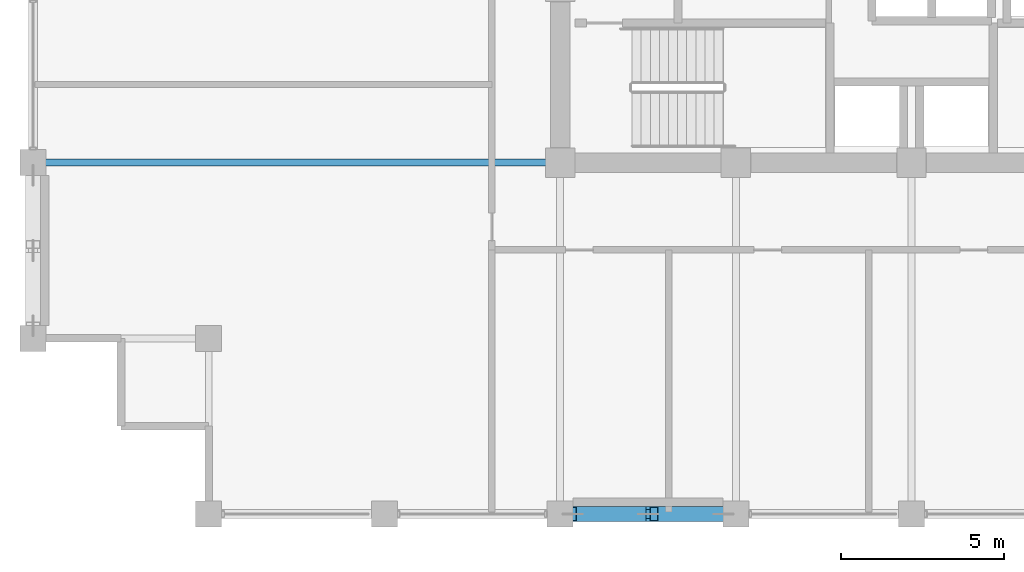
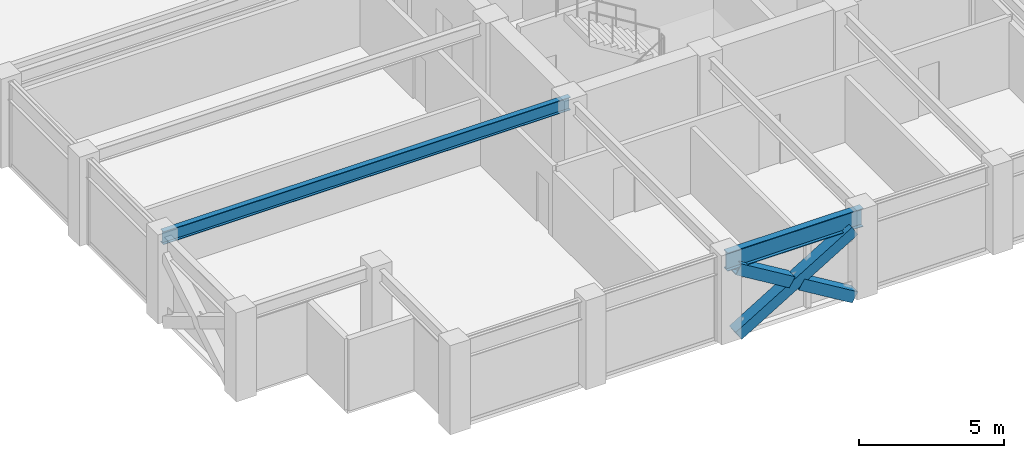
# One storey, part 5 of 32: 3 members, 2 beams.
"""IFC4 building model written with IfcOpenShell, lengths in metres."""

from ifc_helpers import new_model, si_unit, direction, frame, origin, origin_2d, place, context, subcontext, project, spatial, hollow_rectangle, i_section, extrude, material, material_profile, profile_set, type_object, element, save


model = new_model("IFC4")

# Units and contexts
model_context = context("Model", 3, precision=1e-05, world=origin(), true_north=direction((0.0, 1.0)))
body_context = subcontext(model_context, "Body", "Model", "MODEL_VIEW")
ifc_project = project(units=[si_unit("LENGTHUNIT", "METRE"), si_unit("AREAUNIT", "SQUARE_METRE"), si_unit("VOLUMEUNIT", "CUBIC_METRE"), si_unit("PLANEANGLEUNIT", "RADIAN"), si_unit("MASSUNIT", "GRAM", prefix="KILO")], contexts=[model_context])

# Site, building, storey
site_placement = place(None, origin())
site = spatial("IfcSite", under=ifc_project, at=site_placement, CompositionType="ELEMENT")
building_placement = place(site_placement, origin())
building = spatial("IfcBuilding", under=site, at=building_placement, Name="Surkhivell Harbour Commons", CompositionType="ELEMENT")
storey_placement = place(building_placement, frame((0.0, 0.0, 216.0)))
storey = spatial("IfcBuildingStorey", under=building, at=storey_placement, Name="L56", CompositionType="ELEMENT", Elevation=216.0)

# Beams
ifc_material_1 = material(Name="Steel S355", Category="steel")
ifc_material_profile_1 = material_profile(ifc_material_1, i_section(OverallWidth=0.2119140625, OverallDepth=0.5439453125, WebThickness=0.0126953125, FlangeThickness=0.021240234375, at=origin_2d()), Name="UB533x210x122")
ifc_profile_set_1 = profile_set([ifc_material_profile_1], Name="Steel S355")
beam_type_1 = type_object("IfcBeamType", Name="BM-GRD-533A", PredefinedType="BEAM", material=ifc_profile_set_1)
beam_1_placement = place(storey_placement, frame((-27.0, -10.800048828125, 3.298095703125), z_axis=(1.0, 0.0, 0.0), x_axis=(0.0, 1.0, 0.0)))
element("IfcBeam", 1, at=beam_1_placement, inside=storey, type_object=beam_type_1, Name="L56 Floor Girder (-27.0,-10.8)", PredefinedType="BEAM", context=body_context, shape_type="SweptSolid", body=[
    extrude(i_section(OverallWidth=0.2119140625, OverallDepth=0.5439453125, WebThickness=0.0126953125, FlangeThickness=0.021240234375, at=origin_2d()), origin(), (0.0, 0.0, 1.0), 16.199951171875),
])
ifc_material_profile_2 = material_profile(ifc_material_1, i_section(OverallWidth=0.26806640625, OverallDepth=0.77001953125, WebThickness=0.015625, FlangeThickness=0.025390625, at=origin_2d()), Name="UB762x267x197")
ifc_profile_set_2 = profile_set([ifc_material_profile_2], Name="Steel S355")
beam_type_2 = type_object("IfcBeamType", Name="BM-SPN-762", PredefinedType="SPANDREL", material=ifc_profile_set_2)
beam_2_placement = place(storey_placement, frame((-10.800048828125, -21.60009765625, 3.18505859375), z_axis=(1.0, 0.0, 0.0), x_axis=(0.0, 1.0, 0.0)))
element("IfcBeam", 2, at=beam_2_placement, inside=storey, type_object=beam_type_2, Name="L56 Tube Spandrel (-10.8,-21.6)", PredefinedType="SPANDREL", context=body_context, shape_type="SweptSolid", body=[
    extrude(i_section(OverallWidth=0.26806640625, OverallDepth=0.77001953125, WebThickness=0.015625, FlangeThickness=0.025390625, at=origin_2d()), origin(), (0.0, 0.0, 1.0), 5.400146484375),
])

# Members
ifc_material_2 = material(Name="Steel S460", Category="steel")
ifc_material_profile_3 = material_profile(ifc_material_2, hollow_rectangle(XDim=0.449951171875, YDim=0.449951171875, WallThickness=0.02197265625, at=origin_2d()), Name="SHS450x450x22")
ifc_profile_set_3 = profile_set([ifc_material_profile_3], Name="Steel S460")
member_type = type_object("IfcMemberType", Name="MEM-BRC-SHS450", PredefinedType="BRACE", material=ifc_profile_set_3)
member_1_placement = place(storey_placement, frame((-10.4150390625, -21.60009765625, 0.008056640625), z_axis=(0.856035804566, 0.0, 0.516916532238), x_axis=(0.0, 1.0, 0.0)))
element("IfcMember", 3, at=member_1_placement, inside=storey, type_object=member_type, Name="L56 Perimeter Mega-Brace MB- 07", PredefinedType="BRACE", context=body_context, shape_type="SweptSolid", body=[
    extrude(hollow_rectangle(XDim=0.449951171875, YDim=0.449951171875, WallThickness=0.02197265625, at=origin_2d()), origin(), (0.0, 0.0, 1.0), 5.40869140625),
])
member_2_placement = place(storey_placement, frame((-5.784912109375, -21.60009765625, 0.008056640625), z_axis=(-0.856061168755, 0.0, 0.516874525731), x_axis=(0.0, -1.0, 0.0)))
element("IfcMember", 4, at=member_2_placement, inside=storey, type_object=member_type, Name="L56 Perimeter Mega-Brace MB- 08", PredefinedType="BRACE", context=body_context, shape_type="SweptSolid", body=[
    extrude(hollow_rectangle(XDim=0.449951171875, YDim=0.449951171875, WallThickness=0.02197265625, at=origin_2d()), origin(), (0.0, 0.0, 1.0), 2.48828125),
])
member_3_placement = place(storey_placement, frame((-8.284912109375, -21.60009765625, 1.517578125), z_axis=(-0.856017753989, 0.0, 0.516946423584), x_axis=(0.0, -1.0, 0.0)))
element("IfcMember", 5, at=member_3_placement, inside=storey, type_object=member_type, Name="L56 Perimeter Mega-Brace MB- 09", PredefinedType="BRACE", context=body_context, shape_type="SweptSolid", body=[
    extrude(hollow_rectangle(XDim=0.449951171875, YDim=0.449951171875, WallThickness=0.02197265625, at=origin_2d()), origin(), (0.0, 0.0, 1.0), 2.488525390625),
])

save(model, "model.ifc")
